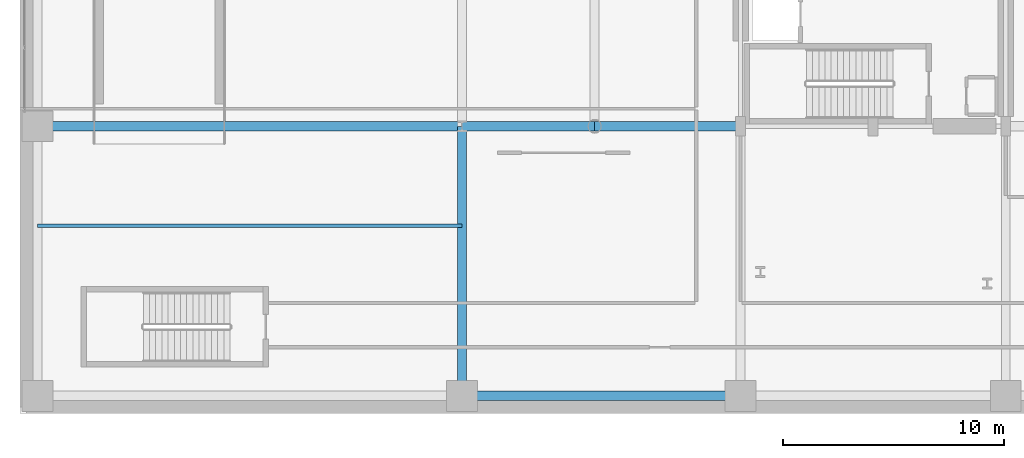
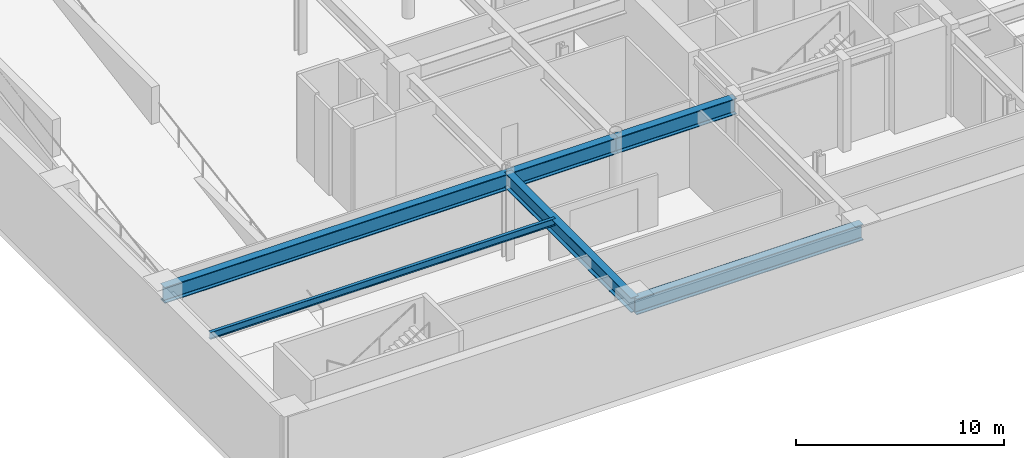
# One storey, part 6 of 25: 6 beams.
"""IFC4 building model written with IfcOpenShell, lengths in metres."""

from ifc_helpers import new_model, si_unit, direction, frame, origin, origin_2d, place, context, subcontext, project, spatial, i_section, extrude, material, material_profile, profile_set, type_object, element, save


model = new_model("IFC4")

# Units and contexts
model_context = context("Model", 3, precision=1e-05, world=origin(), true_north=direction((0.0, 1.0)))
body_context = subcontext(model_context, "Body", "Model", "MODEL_VIEW")
ifc_project = project(units=[si_unit("LENGTHUNIT", "METRE"), si_unit("AREAUNIT", "SQUARE_METRE"), si_unit("VOLUMEUNIT", "CUBIC_METRE"), si_unit("PLANEANGLEUNIT", "RADIAN"), si_unit("MASSUNIT", "GRAM", prefix="KILO")], contexts=[model_context])

# Site, building, storey
site_placement = place(None, origin())
site = spatial("IfcSite", under=ifc_project, at=site_placement, CompositionType="ELEMENT")
building_placement = place(site_placement, origin())
building = spatial("IfcBuilding", under=site, at=building_placement, Name="Soratama Intermodal Tower", CompositionType="ELEMENT")
storey_placement = place(building_placement, frame((0.0, 0.0, -5.39990234375)))
storey = spatial("IfcBuildingStorey", under=building, at=storey_placement, Name="B1", CompositionType="ELEMENT", Elevation=-5.39990234375)

# Beams
ifc_material_1 = material(Name="Structural steel ASTM A992 Grade 50", Category="steel")
ifc_material_profile_1 = material_profile(ifc_material_1, i_section(OverallWidth=0.177978515625, OverallDepth=0.406982421875, WebThickness=0.0078125, FlangeThickness=0.0126953125, FilletRadius=0.010009765625, at=origin_2d()), Name="W16X40")
ifc_profile_set_1 = profile_set([ifc_material_profile_1], Name="Structural steel ASTM A992 Grade 50")
beam_type_1 = type_object("IfcBeamType", Name="BM-JST-W16X40", PredefinedType="JOIST", material=ifc_profile_set_1)
beam_1_placement = place(storey_placement, frame((0.800048828125, 10.5, 4.87646484375), z_axis=(1.0, 0.0, 0.0), x_axis=(0.0, 1.0, 0.0)))
element("IfcBeam", 1, at=beam_1_placement, inside=storey, type_object=beam_type_1, Name="JST-B1-W1", PredefinedType="JOIST", context=body_context, shape_type="SweptSolid", body=[
    extrude(i_section(OverallWidth=0.177978515625, OverallDepth=0.406982421875, WebThickness=0.0078125, FlangeThickness=0.0126953125, FilletRadius=0.010009765625, at=origin_2d()), origin(), (0.0, 0.0, 1.0), 19.199951171875),
])
ifc_material_2 = material(Name="Structural steel ASTM A992 Grade 50", Category="steel")
ifc_material_profile_2 = material_profile(ifc_material_2, i_section(OverallWidth=0.423095703125, OverallDepth=0.93896484375, WebThickness=0.02392578125, FlangeThickness=0.042724609375, FilletRadius=0.02392578125, at=origin_2d()), Name="W36X302")
ifc_profile_set_2 = profile_set([ifc_material_profile_2], Name="Structural steel ASTM A992 Grade 50")
beam_type_2 = type_object("IfcBeamType", Name="BM-POD-EXT-W36", PredefinedType="BEAM", material=ifc_profile_set_2)
beam_2_placement = place(storey_placement, frame((20.0, 2.800048828125, 4.6103515625), z_axis=(1.0, 0.0, 0.0), x_axis=(0.0, 1.0, 0.0)))
element("IfcBeam", 2, at=beam_2_placement, inside=storey, type_object=beam_type_2, Name="B1 Station Girder X1-2", PredefinedType="BEAM", context=body_context, shape_type="SweptSolid", body=[
    extrude(i_section(OverallWidth=0.423095703125, OverallDepth=0.93896484375, WebThickness=0.02392578125, FlangeThickness=0.042724609375, FilletRadius=0.02392578125, at=origin_2d()), origin(), (0.0, 0.0, 1.0), 12.60009765625),
])
ifc_material_3 = material(Name="Structural steel ASTM A992 Grade 50", Category="steel")
ifc_material_profile_3 = material_profile(ifc_material_3, i_section(OverallWidth=0.403076171875, OverallDepth=0.867919921875, WebThickness=0.02099609375, FlangeThickness=0.03564453125, FilletRadius=0.01806640625, at=origin_2d()), Name="W33X241")
ifc_profile_set_3 = profile_set([ifc_material_profile_3], Name="Structural steel ASTM A992 Grade 50")
beam_type_3 = type_object("IfcBeamType", Name="BM-POD-W33X241", PredefinedType="BEAM", material=ifc_profile_set_3)
beam_3_placement = place(storey_placement, frame((20.0, 2.800048828125, 4.64599609375), z_axis=(0.0, 1.0, 0.0), x_axis=(-1.0, 0.0, 0.0)))
element("IfcBeam", 3, at=beam_3_placement, inside=storey, type_object=beam_type_3, Name="B1 Station Girder Y2-1", PredefinedType="BEAM", context=body_context, shape_type="SweptSolid", body=[
    extrude(i_section(OverallWidth=0.403076171875, OverallDepth=0.867919921875, WebThickness=0.02099609375, FlangeThickness=0.03564453125, FilletRadius=0.01806640625, at=origin_2d()), origin(), (0.0, 0.0, 1.0), 12.199951171875),
])
ifc_material_4 = material(Name="Structural steel ASTM A992 Grade 50", Category="steel")
ifc_material_profile_4 = material_profile(ifc_material_4, i_section(OverallWidth=0.423095703125, OverallDepth=0.93896484375, WebThickness=0.02392578125, FlangeThickness=0.042724609375, FilletRadius=0.02392578125, at=origin_2d()), Name="W36X302")
ifc_profile_set_4 = profile_set([ifc_material_profile_4], Name="Structural steel ASTM A992 Grade 50")
beam_type_4 = type_object("IfcBeamType", Name="BM-POD-W36X302", PredefinedType="BEAM", material=ifc_profile_set_4)
beam_4_placement = place(storey_placement, frame((0.800048828125, 15.0, 4.6103515625), z_axis=(1.0, 0.0, 0.0), x_axis=(0.0, 1.0, 0.0)))
element("IfcBeam", 4, at=beam_4_placement, inside=storey, type_object=beam_type_4, Name="B1 Station Girder X2-1", PredefinedType="BEAM", context=body_context, shape_type="SweptSolid", body=[
    extrude(i_section(OverallWidth=0.423095703125, OverallDepth=0.93896484375, WebThickness=0.02392578125, FlangeThickness=0.042724609375, FilletRadius=0.02392578125, at=origin_2d()), origin(), (0.0, 0.0, 1.0), 19.199951171875),
])
beam_5_placement = place(storey_placement, frame((20.0, 15.0, 4.6103515625), z_axis=(1.0, 0.0, 0.0), x_axis=(0.0, 1.0, 0.0)))
element("IfcBeam", 5, at=beam_5_placement, inside=storey, type_object=beam_type_4, Name="B1 Station Girder X2-2", PredefinedType="BEAM", context=body_context, shape_type="SweptSolid", body=[
    extrude(i_section(OverallWidth=0.423095703125, OverallDepth=0.93896484375, WebThickness=0.02392578125, FlangeThickness=0.042724609375, FilletRadius=0.02392578125, at=origin_2d()), origin(), (0.0, 0.0, 1.0), 6.0),
])
beam_6_placement = place(storey_placement, frame((26.0, 15.0, 4.6103515625), z_axis=(1.0, 0.0, 0.0), x_axis=(0.0, 1.0, 0.0)))
element("IfcBeam", 6, at=beam_6_placement, inside=storey, type_object=beam_type_4, Name="B1 Station Girder X2-3", PredefinedType="BEAM", context=body_context, shape_type="SweptSolid", body=[
    extrude(i_section(OverallWidth=0.423095703125, OverallDepth=0.93896484375, WebThickness=0.02392578125, FlangeThickness=0.042724609375, FilletRadius=0.02392578125, at=origin_2d()), origin(), (0.0, 0.0, 1.0), 6.60009765625),
])

save(model, "model.ifc")
